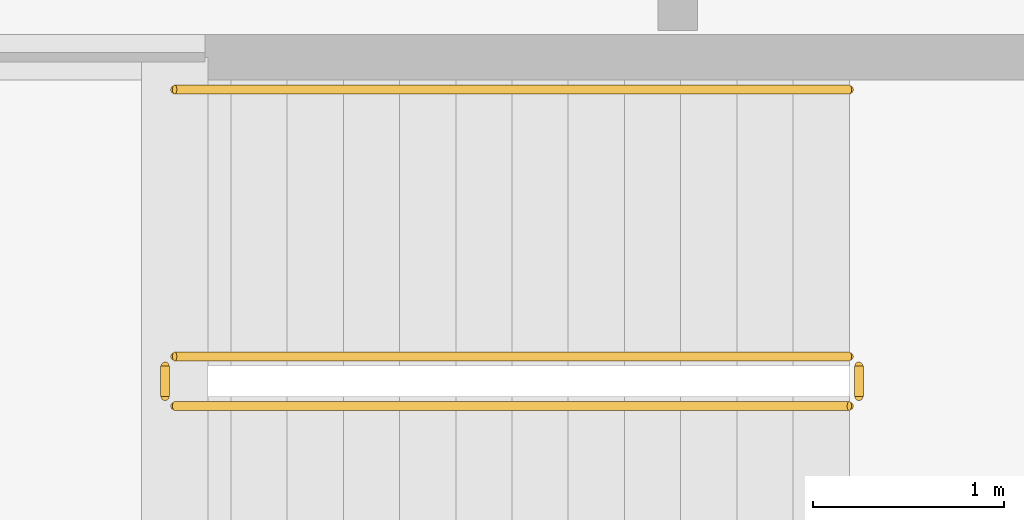
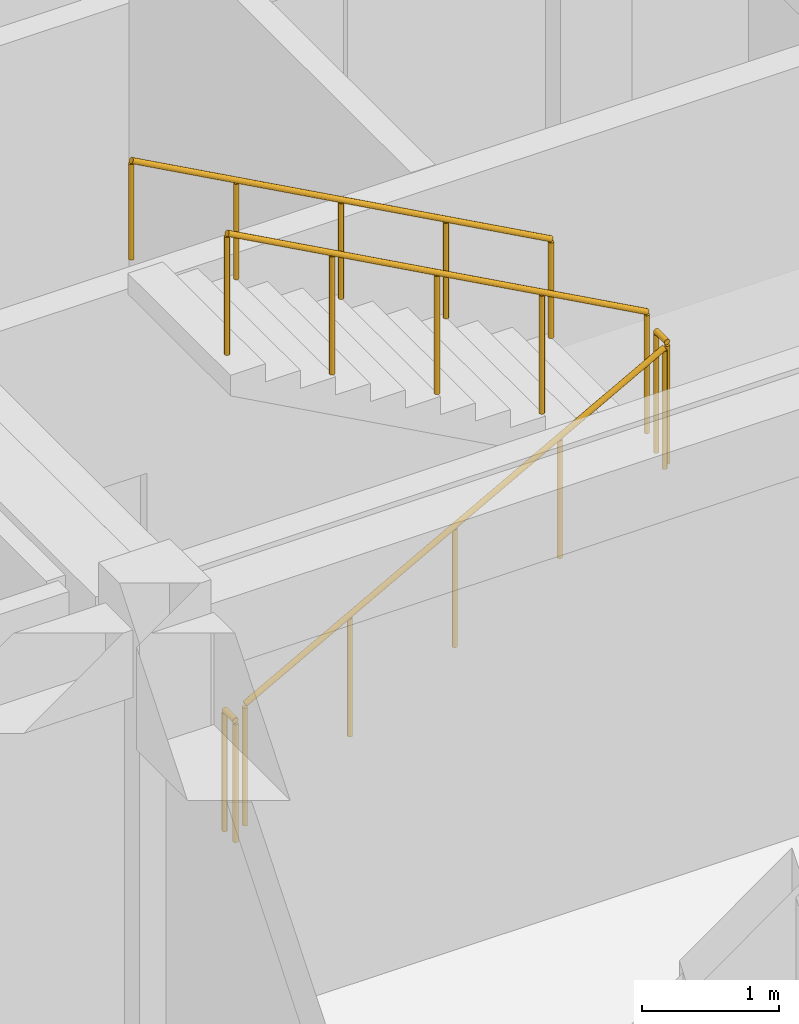
# One storey, part 111 of 119: 5 railings.
"""IFC4 building model written with IfcOpenShell, lengths in metres."""

from ifc_helpers import new_model, si_unit, direction, frame, origin, origin_2d, place, context, subcontext, project, spatial, circle, extrude, material, type_object, element, save


model = new_model("IFC4")

# Units and contexts
model_context = context("Model", 3, precision=1e-05, world=origin(), true_north=direction((0.0, 1.0)))
body_context = subcontext(model_context, "Body", "Model", "MODEL_VIEW")
ifc_project = project(units=[si_unit("LENGTHUNIT", "METRE"), si_unit("AREAUNIT", "SQUARE_METRE"), si_unit("VOLUMEUNIT", "CUBIC_METRE"), si_unit("PLANEANGLEUNIT", "RADIAN"), si_unit("MASSUNIT", "GRAM", prefix="KILO")], contexts=[model_context])

# Site, building, storey
site_placement = place(None, origin())
site = spatial("IfcSite", under=ifc_project, at=site_placement, CompositionType="ELEMENT")
building_placement = place(site_placement, origin())
building = spatial("IfcBuilding", under=site, at=building_placement, Name="Bramfleet General Hospital", CompositionType="ELEMENT")
storey_placement = place(building_placement, frame((0.0, 0.0, 14.39990234375)))
storey = spatial("IfcBuildingStorey", under=building, at=storey_placement, Name="L03", CompositionType="ELEMENT", Elevation=14.39990234375)

# Railings
ifc_material_1 = material(Name="Powder-coated steel stair balustrade", Category="steel")
railing_type_1 = type_object("IfcRailingType", Name="RAIL-ST-GUARD", PredefinedType="GUARDRAIL", material=ifc_material_1)
railing_1_placement = place(storey_placement, frame((52.239990234375, 102.669921875, 0.16162109375)))
element("IfcRailing", 1, at=railing_1_placement, inside=storey, type_object=railing_type_1, Name="L03 ST-C14 stair guard 1", PredefinedType="GUARDRAIL", context=body_context, shape_type="SweptSolid", body=[
    extrude(circle(Radius=0.02392578125, at=origin_2d()), frame((0.0, 0.0, 1.076171875), z_axis=(0.877108402541, 0.0, 0.480292463185), x_axis=(0.0, 1.0, 0.0)), (0.0, 0.0, 1.0), 4.0361328125),
    extrude(circle(Radius=0.02099609375, at=origin_2d()), origin(), (0.0, 0.0, 1.0), 1.052001953125),
    extrude(circle(Radius=0.02099609375, at=origin_2d()), frame((0.885009765625, 0.0, 0.484619140625)), (0.0, 0.0, 1.0), 1.052001953125),
    extrude(circle(Radius=0.02099609375, at=origin_2d()), frame((1.77001953125, 0.0, 0.96923828125)), (0.0, 0.0, 1.0), 1.052001953125),
    extrude(circle(Radius=0.02099609375, at=origin_2d()), frame((2.655029296875, 0.0, 1.453857421875)), (0.0, 0.0, 1.0), 1.052001953125),
    extrude(circle(Radius=0.02099609375, at=origin_2d()), frame((3.5400390625, 0.0, 1.9384765625)), (0.0, 0.0, 1.0), 1.052001953125),
])
railing_2_placement = place(storey_placement, frame((55.830078125, 102.719970703125, 2.10009765625)))
element("IfcRailing", 2, at=railing_2_placement, inside=storey, type_object=railing_type_1, Name="L03 ST-C14 stair guard 2", PredefinedType="GUARDRAIL", context=body_context, shape_type="SweptSolid", body=[
    extrude(circle(Radius=0.02392578125, at=origin_2d()), frame((0.0, 0.0, 1.076171875), z_axis=(0.0, 1.0, 0.0), x_axis=(-1.0, 0.0, 0.0)), (0.0, 0.0, 1.0), 0.159912109375),
    extrude(circle(Radius=0.02099609375, at=origin_2d()), origin(), (0.0, 0.0, 1.0), 1.052001953125),
    extrude(circle(Radius=0.02099609375, at=origin_2d()), frame((0.0, 0.159912109375, 0.0)), (0.0, 0.0, 1.0), 1.052001953125),
])
railing_3_placement = place(storey_placement, frame((55.780029296875, 102.929931640625, 2.26171875)))
element("IfcRailing", 3, at=railing_3_placement, inside=storey, type_object=railing_type_1, Name="L03 ST-C14 stair guard 3", PredefinedType="GUARDRAIL", context=body_context, shape_type="SweptSolid", body=[
    extrude(circle(Radius=0.02392578125, at=origin_2d()), frame((0.0, 0.0, 1.076171875), z_axis=(-0.877108402541, 0.0, 0.480292463185), x_axis=(0.0, -1.0, 0.0)), (0.0, 0.0, 1.0), 4.0361328125),
    extrude(circle(Radius=0.02099609375, at=origin_2d()), origin(), (0.0, 0.0, 1.0), 1.052001953125),
    extrude(circle(Radius=0.02099609375, at=origin_2d()), frame((-0.885009765625, 0.0, 0.484619140625)), (0.0, 0.0, 1.0), 1.052001953125),
    extrude(circle(Radius=0.02099609375, at=origin_2d()), frame((-1.77001953125, 0.0, 0.96923828125)), (0.0, 0.0, 1.0), 1.052001953125),
    extrude(circle(Radius=0.02099609375, at=origin_2d()), frame((-2.655029296875, 0.0, 1.453857421875)), (0.0, 0.0, 1.0), 1.052001953125),
    extrude(circle(Radius=0.02099609375, at=origin_2d()), frame((-3.5400390625, 0.0, 1.9384765625)), (0.0, 0.0, 1.0), 1.052001953125),
])
railing_4_placement = place(storey_placement, frame((52.18994140625, 102.719970703125, 0.0)))
element("IfcRailing", 4, at=railing_4_placement, inside=storey, type_object=railing_type_1, Name="L03 ST-C14 stair guard 4", PredefinedType="GUARDRAIL", context=body_context, shape_type="SweptSolid", body=[
    extrude(circle(Radius=0.02392578125, at=origin_2d()), frame((0.0, 0.0, 1.076171875), z_axis=(0.0, 1.0, 0.0), x_axis=(-1.0, 0.0, 0.0)), (0.0, 0.0, 1.0), 0.159912109375),
    extrude(circle(Radius=0.02099609375, at=origin_2d()), origin(), (0.0, 0.0, 1.0), 1.052001953125),
    extrude(circle(Radius=0.02099609375, at=origin_2d()), frame((0.0, 0.159912109375, 0.0)), (0.0, 0.0, 1.0), 1.052001953125),
])
ifc_material_2 = material(Name="Stainless steel 1.4301 stair handrail", Category="steel")
railing_type_2 = type_object("IfcRailingType", Name="RAIL-ST-HND", PredefinedType="HANDRAIL", material=ifc_material_2)
railing_5_placement = place(storey_placement, frame((55.780029296875, 104.330078125, 2.26171875)))
element("IfcRailing", 5, at=railing_5_placement, inside=storey, type_object=railing_type_2, Name="L03 ST-C14 stair handrail 2", PredefinedType="HANDRAIL", context=body_context, shape_type="SweptSolid", body=[
    extrude(circle(Radius=0.02392578125, at=origin_2d()), frame((0.0, 0.0, 0.8759765625), z_axis=(-0.877108402541, 0.0, 0.480292463185), x_axis=(0.0, -1.0, 0.0)), (0.0, 0.0, 1.0), 4.0361328125),
    extrude(circle(Radius=0.02099609375, at=origin_2d()), origin(), (0.0, 0.0, 1.0), 0.851806640625),
    extrude(circle(Radius=0.02099609375, at=origin_2d()), frame((-0.885009765625, 0.0, 0.484619140625)), (0.0, 0.0, 1.0), 0.851806640625),
    extrude(circle(Radius=0.02099609375, at=origin_2d()), frame((-1.77001953125, 0.0, 0.96923828125)), (0.0, 0.0, 1.0), 0.851806640625),
    extrude(circle(Radius=0.02099609375, at=origin_2d()), frame((-2.655029296875, 0.0, 1.453857421875)), (0.0, 0.0, 1.0), 0.851806640625),
    extrude(circle(Radius=0.02099609375, at=origin_2d()), frame((-3.5400390625, 0.0, 1.9384765625)), (0.0, 0.0, 1.0), 0.851806640625),
])

save(model, "model.ifc")
